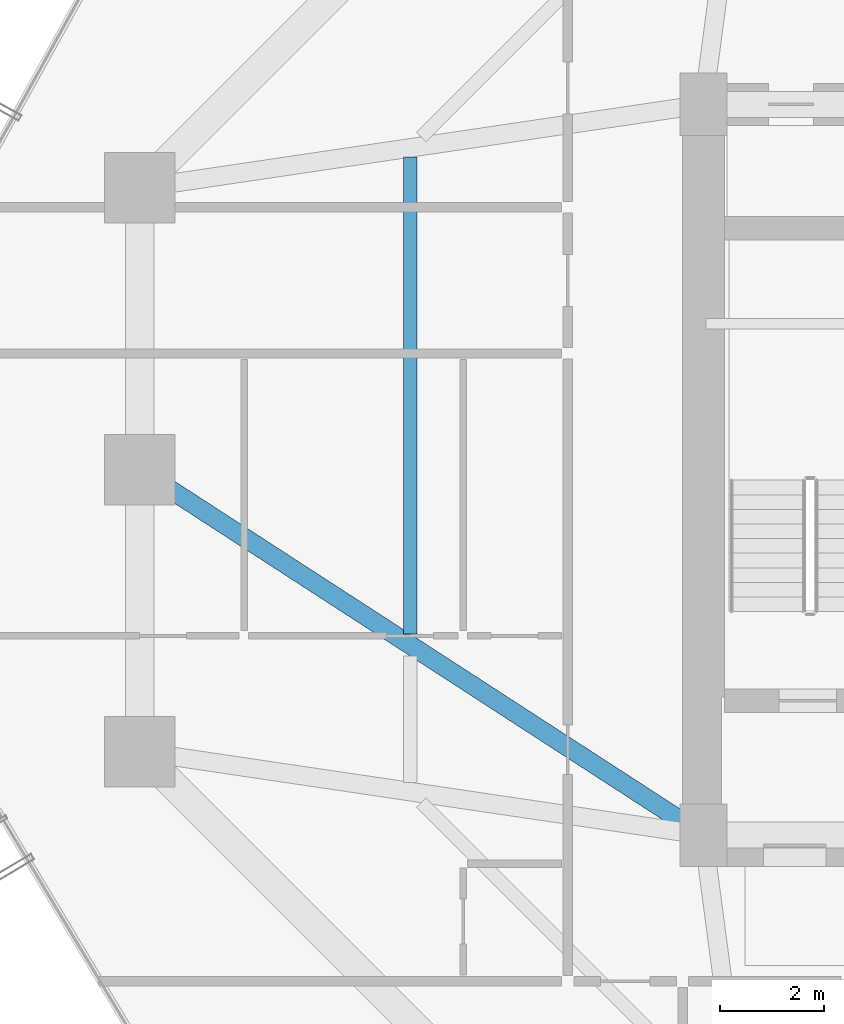
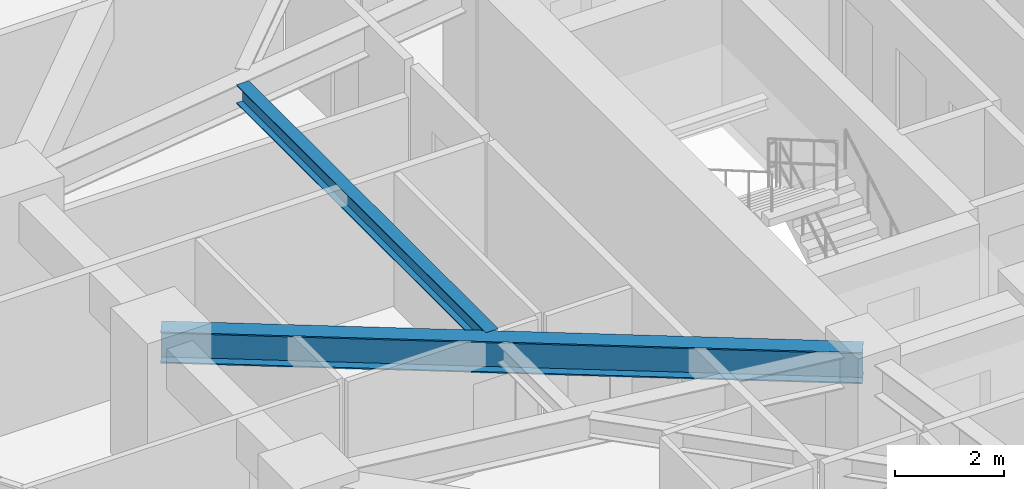
# One storey, part 11 of 39: 2 beams.
"""IFC4 building model written with IfcOpenShell, lengths in metres."""

from ifc_helpers import new_model, si_unit, direction, frame, origin, origin_2d, place, context, subcontext, project, spatial, i_section, extrude, material, material_profile, profile_set, type_object, element, save


model = new_model("IFC4")

# Units and contexts
model_context = context("Model", 3, precision=1e-05, world=origin(), true_north=direction((0.0, 1.0)))
body_context = subcontext(model_context, "Body", "Model", "MODEL_VIEW")
ifc_project = project(units=[si_unit("LENGTHUNIT", "METRE"), si_unit("AREAUNIT", "SQUARE_METRE"), si_unit("VOLUMEUNIT", "CUBIC_METRE"), si_unit("PLANEANGLEUNIT", "RADIAN"), si_unit("MASSUNIT", "GRAM", prefix="KILO")], contexts=[model_context])

# Site, building, storey
site_placement = place(None, origin())
site = spatial("IfcSite", under=ifc_project, at=site_placement, CompositionType="ELEMENT")
building_placement = place(site_placement, origin())
building = spatial("IfcBuilding", under=site, at=building_placement, Name="Veraguas Prism Commons", CompositionType="ELEMENT")
storey_placement = place(building_placement, frame((0.0, 0.0, 27.300048828125)))
storey = spatial("IfcBuildingStorey", under=building, at=storey_placement, Name="L06", CompositionType="ELEMENT", Elevation=27.300048828125)

# Beams
ifc_material = material(Name="Steel ASTM A992 Grade 50", Category="steel")
ifc_material_profile_1 = material_profile(ifc_material, i_section(OverallWidth=0.260986328125, OverallDepth=0.419921875, WebThickness=0.01171875, FlangeThickness=0.019287109375, at=origin_2d()), Name="W410X114")
ifc_profile_set_1 = profile_set([ifc_material_profile_1], Name="Steel ASTM A992 Grade 50")
beam_type_1 = type_object("IfcBeamType", Name="Lower Floor Joist W410x114", PredefinedType="JOIST", material=ifc_profile_set_1)
beam_1_placement = place(storey_placement, frame((11.583984375, 29.989990234375, 2.7900390625), z_axis=(0.0, -1.0, 0.0), x_axis=(1.0, 0.0, 0.0)))
element("IfcBeam", 1, at=beam_1_placement, inside=storey, type_object=beam_type_1, Name="Composite Floor Joist L06-JS07", PredefinedType="JOIST", context=body_context, shape_type="SweptSolid", body=[
    extrude(i_section(OverallWidth=0.260986328125, OverallDepth=0.419921875, WebThickness=0.01171875, FlangeThickness=0.019287109375, at=origin_2d()), origin(), (0.0, 0.0, 1.0), 9.140380859375),
])
ifc_material_profile_2 = material_profile(ifc_material, i_section(OverallWidth=0.35595703125, OverallDepth=0.700927734375, WebThickness=0.016845703125, FlangeThickness=0.02734375, at=origin_2d()), Name="W690X240")
ifc_profile_set_2 = profile_set([ifc_material_profile_2], Name="Steel ASTM A992 Grade 50")
beam_type_2 = type_object("IfcBeamType", Name="Zone 1 Radial Girder W690x240", PredefinedType="BEAM", material=ifc_profile_set_2)
beam_2_placement = place(storey_placement, frame((6.39990234375, 24.0, 2.6494140625), z_axis=(0.839154108875, -0.543893722668, 0.0), x_axis=(0.543893722668, 0.839154108875, 0.0)))
element("IfcBeam", 2, at=beam_2_placement, inside=storey, type_object=beam_type_2, Name="Radial Floor Girder L06-RD08", PredefinedType="BEAM", context=body_context, shape_type="SweptSolid", body=[
    extrude(i_section(OverallWidth=0.35595703125, OverallDepth=0.700927734375, WebThickness=0.016845703125, FlangeThickness=0.02734375, at=origin_2d()), origin(), (0.0, 0.0, 1.0), 12.8701171875),
])

save(model, "model.ifc")
